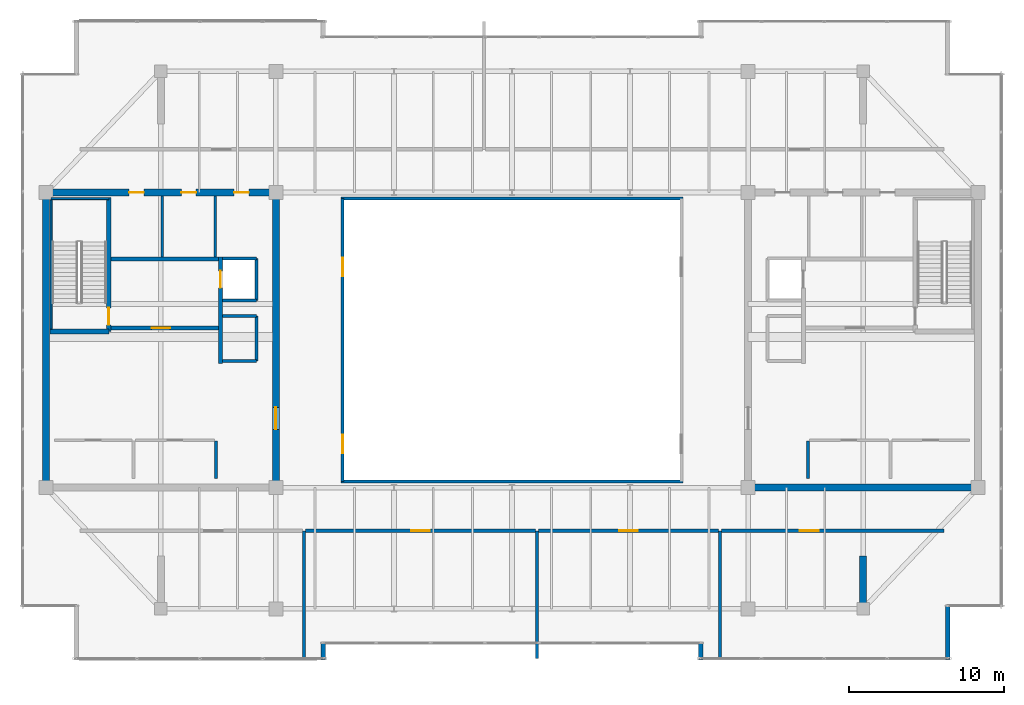
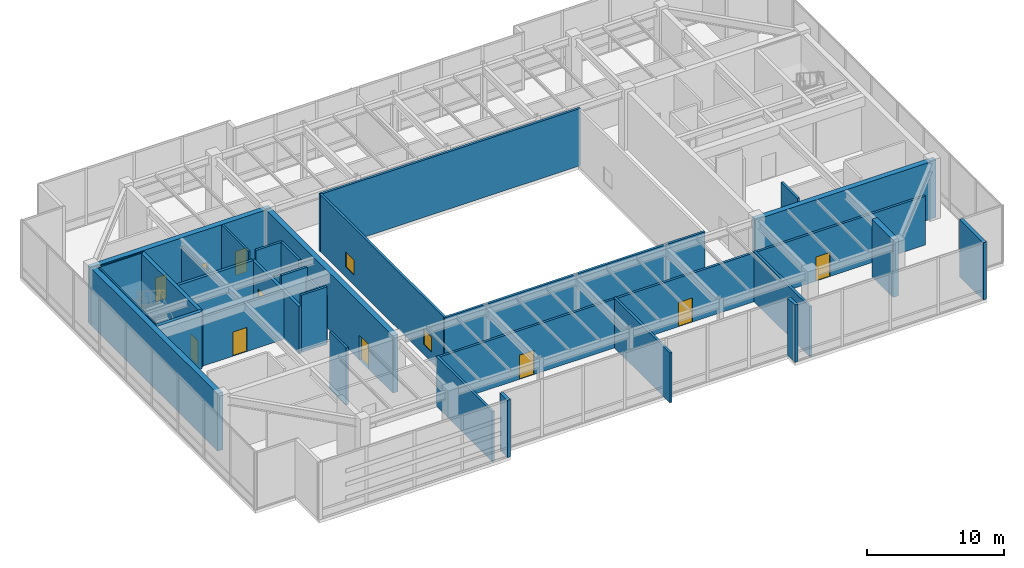
# One storey, part 25 of 30: 34 walls, 10 doors, 2 windows, 12 openings.
"""IFC4 building model written with IfcOpenShell, lengths in metres."""

from ifc_helpers import new_model, si_unit, direction, frame, frame_2d, origin, place, context, subcontext, project, spatial, rectangle, extrude, source, transform, mapped, material, layer, layer_set, type_object, type_shapes, element, fill, save


model = new_model("IFC4")

# Units and contexts
model_context = context("Model", 3, precision=1e-05, world=origin(), true_north=direction((0.0, 1.0)))
body_context = subcontext(model_context, "Body", "Model", "MODEL_VIEW")
ifc_project = project(units=[si_unit("LENGTHUNIT", "METRE"), si_unit("AREAUNIT", "SQUARE_METRE"), si_unit("VOLUMEUNIT", "CUBIC_METRE"), si_unit("PLANEANGLEUNIT", "RADIAN"), si_unit("MASSUNIT", "GRAM", prefix="KILO")], contexts=[model_context])

# Site, building, storey
site_placement = place(None, origin())
site = spatial("IfcSite", under=ifc_project, at=site_placement, CompositionType="ELEMENT")
building_placement = place(site_placement, origin())
building = spatial("IfcBuilding", under=site, at=building_placement, Name="Haelvirn Gate Laboratories", CompositionType="ELEMENT")
storey_placement = place(building_placement, frame((0.0, 0.0, 332.39990234375)))
storey = spatial("IfcBuildingStorey", under=building, at=storey_placement, Name="L79", CompositionType="ELEMENT", Elevation=332.39990234375)

# Walls
ifc_material_1 = material(Name="Thermally-broken bronze aluminium rainscreen & mineral wool", Category="aluminium")
ifc_layer_1 = layer(ifc_material_1, 0.280029296875, Name="EW-TERR-280")
ifc_layer_set_1 = layer_set([ifc_layer_1], Name="Thermally-broken bronze aluminium rainscreen & mineral wool")
wall_type_1 = type_object("IfcWallType", Name="EW-TERR-280", PredefinedType="STANDARD", material=ifc_layer_set_1)
for number, where, z_axis, x_axis, name in (
    (1, (25.260009765625, 3.699951171875, 0.0), (0.0, 0.0, 1.0), (0.0, 1.0, 0.0), "L79 Atrium Recess Bronze Return Wall 01"),
    (2, (49.5400390625, 4.782958984375, 0.0), (0.0, 0.0, 1.0), (0.0, -1.0, 0.0), "L79 Atrium Recess Bronze Return Wall 03"),
):
    element("IfcWall", number, at=place(storey_placement, frame(where, z_axis=z_axis, x_axis=x_axis)), inside=storey, type_object=wall_type_1, Name=name, PredefinedType="STANDARD", context=body_context, shape_type="SweptSolid", body=[
        extrude(rectangle(XDim=1.0830078125, YDim=0.280029296875, at=frame_2d((0.54150390625, 0.0))), origin(), (0.0, 0.0, 1.0), 5.1201171875),
    ])
wall_1_placement = place(storey_placement, frame((65.4599609375, 3.699951171875, 0.0), z_axis=(0.0, 0.0, 1.0), x_axis=(0.0, 1.0, 0.0)))
element("IfcWall", 3, at=wall_1_placement, inside=storey, type_object=wall_type_1, Name="L79 Atrium Recess Bronze Return Wall 05", PredefinedType="STANDARD", context=body_context, shape_type="SweptSolid", body=[
    extrude(rectangle(XDim=3.488037109375, YDim=0.280029296875, at=frame_2d((1.744140625, 0.0))), origin(), (0.0, 0.0, 1.0), 5.1201171875),
])

# Wall, openings, windows
ifc_material_2 = material(Name="Tempered fire-rated borosilicate glass & anodised aluminium", Category="aluminium")
ifc_layer_2 = layer(ifc_material_2, 0.195068359375, Name="IW-GLAZ-200")
ifc_layer_set_2 = layer_set([ifc_layer_2], Name="Tempered fire-rated borosilicate glass & anodised aluminium")
wall_type_2 = type_object("IfcWallType", Name="IW-GLAZ-200", PredefinedType="SOLIDWALL", material=ifc_layer_set_2)
wall_2_placement = place(storey_placement, frame((26.5, 15.199951171875, 0.0), z_axis=(0.0, 0.0, 1.0), x_axis=(0.0, 1.0, 0.0)))
wall_2 = element("IfcWall", 4, at=wall_2_placement, inside=storey, type_object=wall_type_2, Name="L79 Interior Wall IW-L79-ATRIUM-W", PredefinedType="SOLIDWALL", context=body_context, shape_type="SweptSolid", body=[
    extrude(rectangle(XDim=18.199951171875, YDim=0.195068359375, at=frame_2d((9.10009765625, 0.0))), origin(), (0.0, 0.0, 1.0), 5.1201171875),
])
opening_1_placement = place(wall_2_placement, frame((1.800048828125, 0.0, 0.89990234375)))
opening_1 = element("IfcOpeningElement", 5, at=opening_1_placement, cuts=wall_2, Name="Opening W6", PredefinedType="OPENING", context=body_context, shape_type="SweptSolid", body=[
    extrude(rectangle(XDim=1.199951171875, YDim=1.35009765625, at=frame_2d((0.60009765625, 0.675048828125))), frame((0.0, 0.107421875, 0.0), z_axis=(0.0, -1.0, 0.0), x_axis=(1.0, 0.0, 0.0)), (0.0, 0.0, 1.0), 0.215087890625),
])
opening_2_placement = place(wall_2_placement, frame((13.199951171875, 0.0, 0.89990234375)))
opening_2 = element("IfcOpeningElement", 6, at=opening_2_placement, cuts=wall_2, Name="Opening W6", PredefinedType="OPENING", context=body_context, shape_type="SweptSolid", body=[
    extrude(rectangle(XDim=1.199951171875, YDim=1.35009765625, at=frame_2d((0.60009765625, 0.675048828125))), frame((0.0, 0.107421875, 0.0), z_axis=(0.0, -1.0, 0.0), x_axis=(1.0, 0.0, 0.0)), (0.0, 0.0, 1.0), 0.215087890625),
])
ifc_material_3 = material(Name="Fire-rated EI 120 borosilicate atrium vision glazing", Category="glass")
window_type = type_object("IfcWindowType", Name="WN-ATR-1200", PartitioningType="SINGLE_PANEL", PredefinedType="WINDOW", material=ifc_material_3)
shared_shape_1 = source(origin(), body_context, "Body", "SweptSolid", [
    extrude(rectangle(XDim=1.199951171875, YDim=1.35009765625, at=frame_2d((0.60009765625, 0.675048828125))), frame((0.0, 0.030029296875, 0.0), z_axis=(0.0, -1.0, 0.0), x_axis=(1.0, 0.0, 0.0)), (0.0, 0.0, 1.0), 0.06005859375),
])
type_shapes(window_type, [shared_shape_1])
window_1_placement = place(opening_1_placement, origin())
window_1 = element("IfcWindow", 7, at=window_1_placement, inside=storey, type_object=window_type, Name="L79 Atrium Observation Window 1", OverallHeight=1.35009765625, OverallWidth=1.199951171875, PartitioningType="SINGLE_PANEL", PredefinedType="WINDOW", context=body_context, shape_type="MappedRepresentation", body=[
    mapped(shared_shape_1, transform((0.0, 0.0, 0.0), scale=1.0)),
])
fill(opening_1, window_1)
window_2_placement = place(opening_2_placement, origin())
window_2 = element("IfcWindow", 8, at=window_2_placement, inside=storey, type_object=window_type, Name="L79 Atrium Observation Window 2", OverallHeight=1.35009765625, OverallWidth=1.199951171875, PartitioningType="SINGLE_PANEL", PredefinedType="WINDOW", context=body_context, shape_type="MappedRepresentation", body=[
    mapped(shared_shape_1, transform((0.0, 0.0, 0.0), scale=1.0)),
])
fill(opening_2, window_2)

# Walls
for number, where, z_axis, x_axis, name in (
    (9, (26.39990234375, 15.199951171875, 0.0), (0.0, 0.0, 1.0), (1.0, 0.0, 0.0), "L79 Interior Wall IW-L79-ATRIUM-S"),
    (10, (26.39990234375, 33.39990234375, 0.0), (0.0, 0.0, 1.0), (1.0, 0.0, 0.0), "L79 Interior Wall IW-L79-ATRIUM-N"),
):
    element("IfcWall", number, at=place(storey_placement, frame(where, z_axis=z_axis, x_axis=x_axis)), inside=storey, type_object=wall_type_2, Name=name, PredefinedType="SOLIDWALL", context=body_context, shape_type="SweptSolid", body=[
        extrude(rectangle(XDim=22.0, YDim=0.195068359375, at=frame_2d((11.0, 0.0))), origin(), (0.0, 0.0, 1.0), 5.1201171875),
    ])
ifc_material_4 = material(Name="Cement-board restroom plumbing chase wall", Category="gypsum")
ifc_layer_3 = layer(ifc_material_4, 0.155029296875, Name="IW-PLUMB-160")
ifc_layer_set_3 = layer_set([ifc_layer_3], Name="Cement-board restroom plumbing chase wall")
wall_type_3 = type_object("IfcWallType", Name="IW-PLUMB-160", PredefinedType="PLUMBINGWALL", material=ifc_layer_set_3)
wall_3_placement = place(storey_placement, frame((14.889892578125, 29.64990234375, 0.0), z_axis=(0.0, 0.0, 1.0), x_axis=(0.0, 1.0, 0.0)))
element("IfcWall", 11, at=wall_3_placement, inside=storey, type_object=wall_type_3, Name="L79 Interior Wall IW-L79-W-CDIV-1", PredefinedType="PLUMBINGWALL", context=body_context, shape_type="SweptSolid", body=[
    extrude(rectangle(XDim=3.93017578125, YDim=0.155029296875, at=frame_2d((1.965087890625, 0.0))), origin(), (0.0, 0.0, 1.0), 4.35498046875),
])
wall_4_placement = place(storey_placement, frame((18.2900390625, 29.64990234375, 0.0), z_axis=(0.0, 0.0, 1.0), x_axis=(0.0, 1.0, 0.0)))
element("IfcWall", 12, at=wall_4_placement, inside=storey, type_object=wall_type_3, Name="L79 Interior Wall IW-L79-W-CDIV-2", PredefinedType="PLUMBINGWALL", context=body_context, shape_type="SweptSolid", body=[
    extrude(rectangle(XDim=3.93017578125, YDim=0.155029296875, at=frame_2d((1.965087890625, 0.0))), origin(), (0.0, 0.0, 1.0), 5.1201171875),
])
ifc_material_5 = material(Name="Concrete C40/50", Category="concrete")
ifc_layer_4 = layer(ifc_material_5, 0.179931640625, Name="IW-SHAFT-180")
ifc_layer_set_4 = layer_set([ifc_layer_4], Name="Concrete C40/50")
wall_type_4 = type_object("IfcWallType", Name="IW-SHAFT-180", PredefinedType="SOLIDWALL", material=ifc_layer_set_4)
for number, where, z_axis, x_axis, name in (
    (13, (18.340087890625, 15.39990234375, 0.0), (0.0, 0.0, 1.0), (0.0, 1.0, 0.0), "L79 Interior Wall IW-L79-W-FREED-HE-2"),
    (14, (56.4599609375, 15.39990234375, 0.0), (0.0, 0.0, 1.0), (0.0, 1.0, 0.0), "L79 Interior Wall IW-L79-E-FREED-HE-2"),
):
    element("IfcWall", number, at=place(storey_placement, frame(where, z_axis=z_axis, x_axis=x_axis)), inside=storey, type_object=wall_type_4, Name=name, PredefinedType="SOLIDWALL", context=body_context, shape_type="SweptSolid", body=[
        extrude(rectangle(XDim=2.400146484375, YDim=0.179931640625, at=frame_2d((1.2001953125, 0.0))), origin(), (0.0, 0.0, 1.0), 5.1201171875),
    ])
ifc_layer_5 = layer(ifc_material_5, 0.199951171875, Name="IW-SHAFT-200")
ifc_layer_set_5 = layer_set([ifc_layer_5], Name="Concrete C40/50")
wall_type_5 = type_object("IfcWallType", Name="IW-SHAFT-200", PredefinedType="SOLIDWALL", material=ifc_layer_set_5)
wall_5_placement = place(storey_placement, frame((20.949951171875, 26.85009765625, 0.0), z_axis=(0.0, 0.0, 1.0), x_axis=(0.0, 1.0, 0.0)))
element("IfcWall", 15, at=wall_5_placement, inside=storey, type_object=wall_type_5, Name="L79 Interior Wall IW-L79-FL1-BK", PredefinedType="SOLIDWALL", context=body_context, shape_type="SweptSolid", body=[
    extrude(rectangle(XDim=2.699951171875, YDim=0.199951171875, at=frame_2d((1.35009765625, 0.0))), origin(), (0.0, 0.0, 1.0), 5.1201171875),
])
wall_6_placement = place(storey_placement, frame((18.760009765625, 29.550048828125, 0.0), z_axis=(0.0, 0.0, 1.0), x_axis=(1.0, 0.0, 0.0)))
element("IfcWall", 16, at=wall_6_placement, inside=storey, type_object=wall_type_5, Name="L79 Interior Wall IW-L79-FL1-N", PredefinedType="SOLIDWALL", context=body_context, shape_type="SweptSolid", body=[
    extrude(rectangle(XDim=2.18994140625, YDim=0.199951171875, at=frame_2d((1.094970703125, 0.0))), origin(), (0.0, 0.0, 1.0), 5.1201171875),
])
wall_7_placement = place(storey_placement, frame((18.760009765625, 26.85009765625, 0.0), z_axis=(0.0, 0.0, 1.0), x_axis=(1.0, 0.0, 0.0)))
element("IfcWall", 17, at=wall_7_placement, inside=storey, type_object=wall_type_5, Name="L79 Interior Wall IW-L79-FL1-S", PredefinedType="SOLIDWALL", context=body_context, shape_type="SweptSolid", body=[
    extrude(rectangle(XDim=2.18994140625, YDim=0.199951171875, at=frame_2d((1.094970703125, 0.0))), origin(), (0.0, 0.0, 1.0), 4.51708984375),
])
wall_8_placement = place(storey_placement, frame((20.949951171875, 22.949951171875, 0.0), z_axis=(0.0, 0.0, 1.0), x_axis=(0.0, 1.0, 0.0)))
element("IfcWall", 18, at=wall_8_placement, inside=storey, type_object=wall_type_5, Name="L79 Interior Wall IW-L79-SL1-BK", PredefinedType="SOLIDWALL", context=body_context, shape_type="SweptSolid", body=[
    extrude(rectangle(XDim=2.900146484375, YDim=0.199951171875, at=frame_2d((1.4501953125, 0.0))), origin(), (0.0, 0.0, 1.0), 4.255126953125),
])
for number, where, z_axis, x_axis, name in (
    (19, (18.760009765625, 25.85009765625, 0.0), (0.0, 0.0, 1.0), (1.0, 0.0, 0.0), "L79 Interior Wall IW-L79-SL1-N"),
    (20, (18.760009765625, 22.949951171875, 0.0), (0.0, 0.0, 1.0), (1.0, 0.0, 0.0), "L79 Interior Wall IW-L79-SL1-S"),
):
    element("IfcWall", number, at=place(storey_placement, frame(where, z_axis=z_axis, x_axis=x_axis)), inside=storey, type_object=wall_type_5, Name=name, PredefinedType="SOLIDWALL", context=body_context, shape_type="SweptSolid", body=[
        extrude(rectangle(XDim=2.18994140625, YDim=0.199951171875, at=frame_2d((1.094970703125, 0.0))), origin(), (0.0, 0.0, 1.0), 5.1201171875),
    ])
wall_9_placement = place(storey_placement, frame((24.0, 3.81005859375, 0.0), z_axis=(0.0, 0.0, 1.0), x_axis=(0.0, 1.0, 0.0)))
element("IfcWall", 21, at=wall_9_placement, inside=storey, type_object=wall_type_5, Name="L79 Interior Wall IW-L79-PSDIV-1", PredefinedType="SOLIDWALL", context=body_context, shape_type="SweptSolid", body=[
    extrude(rectangle(XDim=8.2099609375, YDim=0.199951171875, at=frame_2d((4.10498046875, 0.0))), origin(), (0.0, 0.0, 1.0), 4.455078125),
])

# Wall, opening, door
wall_10_placement = place(storey_placement, frame((24.10009765625, 12.02001953125, 0.0), z_axis=(0.0, 0.0, 1.0), x_axis=(1.0, 0.0, 0.0)))
wall_10 = element("IfcWall", 22, at=wall_10_placement, inside=storey, type_object=wall_type_5, Name="L79 Interior Wall IW-L79-PSW-2", PredefinedType="SOLIDWALL", context=body_context, shape_type="SweptSolid", body=[
    extrude(rectangle(XDim=14.7998046875, YDim=0.199951171875, at=frame_2d((7.39990234375, 0.0))), origin(), (0.0, 0.0, 1.0), 4.35498046875),
])
opening_3_placement = place(wall_10_placement, frame((6.800048828125, 0.0, 0.0)))
opening_3 = element("IfcOpeningElement", 23, at=opening_3_placement, cuts=wall_10, Name="Opening FD2", PredefinedType="OPENING", context=body_context, shape_type="SweptSolid", body=[
    extrude(rectangle(XDim=1.199951171875, YDim=2.159912109375, at=frame_2d((0.60009765625, 1.080078125))), frame((0.0, 0.10986328125, 0.0), z_axis=(0.0, -1.0, 0.0), x_axis=(1.0, 0.0, 0.0)), (0.0, 0.0, 1.0), 0.219970703125),
])
ifc_material_6 = material(Name="Fire-rated steel SM355 compartment door", Category="steel")
door_type_1 = type_object("IfcDoorType", Name="DR-FD-1200", OperationType="NOTDEFINED", PredefinedType="DOOR", material=ifc_material_6)
shared_shape_2 = source(origin(), body_context, "Body", "SweptSolid", [
    extrude(rectangle(XDim=1.199951171875, YDim=2.159912109375, at=frame_2d((0.60009765625, 1.080078125))), frame((0.0, 0.02490234375, 0.0), z_axis=(0.0, -1.0, 0.0), x_axis=(1.0, 0.0, 0.0)), (0.0, 0.0, 1.0), 0.050048828125),
])
type_shapes(door_type_1, [shared_shape_2])
door_1_placement = place(opening_3_placement, origin())
door_1 = element("IfcDoor", 24, at=door_1_placement, inside=storey, type_object=door_type_1, Name="L79 Atrium Smoke-Extract Mechanical Plant Fire Door", OperationType="SINGLE_SWING_RIGHT", OverallHeight=2.159912109375, OverallWidth=1.199951171875, PredefinedType="DOOR", context=body_context, shape_type="MappedRepresentation", body=[
    mapped(shared_shape_2, transform((0.0, 0.0, 0.0), scale=1.0)),
])
fill(opening_3, door_1)

# Wall
wall_11_placement = place(storey_placement, frame((39.0, 3.81005859375, 0.0), z_axis=(0.0, 0.0, 1.0), x_axis=(0.0, 1.0, 0.0)))
element("IfcWall", 25, at=wall_11_placement, inside=storey, type_object=wall_type_5, Name="L79 Interior Wall IW-L79-PSDIV-2", PredefinedType="SOLIDWALL", context=body_context, shape_type="SweptSolid", body=[
    extrude(rectangle(XDim=8.2099609375, YDim=0.199951171875, at=frame_2d((4.10498046875, 0.0))), origin(), (0.0, 0.0, 1.0), 4.455078125),
])

# Wall, opening, door
wall_12_placement = place(storey_placement, frame((39.10009765625, 12.02001953125, 0.0), z_axis=(0.0, 0.0, 1.0), x_axis=(1.0, 0.0, 0.0)))
wall_12 = element("IfcWall", 26, at=wall_12_placement, inside=storey, type_object=wall_type_5, Name="L79 Interior Wall IW-L79-PSW-3", PredefinedType="SOLIDWALL", context=body_context, shape_type="SweptSolid", body=[
    extrude(rectangle(XDim=11.599853515625, YDim=0.199951171875, at=frame_2d((5.7998046875, 0.0))), origin(), (0.0, 0.0, 1.0), 4.35498046875),
])
opening_4_placement = place(wall_12_placement, frame((5.199951171875, 0.0, 0.0)))
opening_4 = element("IfcOpeningElement", 27, at=opening_4_placement, cuts=wall_12, Name="Opening FD2", PredefinedType="OPENING", context=body_context, shape_type="SweptSolid", body=[
    extrude(rectangle(XDim=1.199951171875, YDim=2.159912109375, at=frame_2d((0.60009765625, 1.080078125))), frame((0.0, 0.10986328125, 0.0), z_axis=(0.0, -1.0, 0.0), x_axis=(1.0, 0.0, 0.0)), (0.0, 0.0, 1.0), 0.219970703125),
])
door_2_placement = place(opening_4_placement, origin())
door_2 = element("IfcDoor", 28, at=door_2_placement, inside=storey, type_object=door_type_1, Name="L79 Solar Inverter & Battery UPS Plant Fire Door", OperationType="SINGLE_SWING_LEFT", OverallHeight=2.159912109375, OverallWidth=1.199951171875, PredefinedType="DOOR", context=body_context, shape_type="MappedRepresentation", body=[
    mapped(shared_shape_2, transform((0.0, 0.0, 0.0), scale=1.0)),
])
fill(opening_4, door_2)

# Wall
wall_13_placement = place(storey_placement, frame((50.800048828125, 3.81005859375, 0.0), z_axis=(0.0, 0.0, 1.0), x_axis=(0.0, 1.0, 0.0)))
element("IfcWall", 29, at=wall_13_placement, inside=storey, type_object=wall_type_5, Name="L79 Interior Wall IW-L79-PSDIV-3", PredefinedType="SOLIDWALL", context=body_context, shape_type="SweptSolid", body=[
    extrude(rectangle(XDim=8.2099609375, YDim=0.199951171875, at=frame_2d((4.10498046875, 0.0))), origin(), (0.0, 0.0, 1.0), 4.455078125),
])

# Wall, opening, door
wall_14_placement = place(storey_placement, frame((50.89990234375, 12.02001953125, 0.0), z_axis=(0.0, 0.0, 1.0), x_axis=(1.0, 0.0, 0.0)))
wall_14 = element("IfcWall", 30, at=wall_14_placement, inside=storey, type_object=wall_type_5, Name="L79 Interior Wall IW-L79-PSW-4", PredefinedType="SOLIDWALL", context=body_context, shape_type="SweptSolid", body=[
    extrude(rectangle(XDim=14.300048828125, YDim=0.199951171875, at=frame_2d((7.14990234375, 0.0))), origin(), (0.0, 0.0, 1.0), 4.35498046875),
])
opening_5_placement = place(wall_14_placement, frame((5.032470703125, 0.0, 0.0)))
opening_5 = element("IfcOpeningElement", 31, at=opening_5_placement, cuts=wall_14, Name="Opening FD2", PredefinedType="OPENING", context=body_context, shape_type="SweptSolid", body=[
    extrude(rectangle(XDim=1.199951171875, YDim=2.159912109375, at=frame_2d((0.60009765625, 1.080078125))), frame((0.0, 0.10986328125, 0.0), z_axis=(0.0, -1.0, 0.0), x_axis=(1.0, 0.0, 0.0)), (0.0, 0.0, 1.0), 0.219970703125),
])
door_3_placement = place(opening_5_placement, origin())
door_3 = element("IfcDoor", 32, at=door_3_placement, inside=storey, type_object=door_type_1, Name="L79 Upper Crown East Dilution Fan Plant Fire Door", OperationType="SINGLE_SWING_RIGHT", OverallHeight=2.159912109375, OverallWidth=1.199951171875, PredefinedType="DOOR", context=body_context, shape_type="MappedRepresentation", body=[
    mapped(shared_shape_2, transform((0.0, 0.0, 0.0), scale=1.0)),
])
fill(opening_5, door_3)

ifc_layer_6 = layer(ifc_material_5, 0.239990234375, Name="IW-SHAFT-240")
ifc_layer_set_6 = layer_set([ifc_layer_6], Name="Concrete C40/50")
wall_type_6 = type_object("IfcWallType", Name="IW-SHAFT-240", PredefinedType="SOLIDWALL", material=ifc_layer_set_6)
wall_15_placement = place(storey_placement, frame((11.60009765625, 25.080078125, 0.0), z_axis=(0.0, 0.0, 1.0), x_axis=(1.0, 0.0, 0.0)))
wall_15 = element("IfcWall", 33, at=wall_15_placement, inside=storey, type_object=wall_type_6, Name="L79 Interior Wall IW-L79-W-FF-S", PredefinedType="SOLIDWALL", context=body_context, shape_type="SweptSolid", body=[
    extrude(rectangle(XDim=6.919921875, YDim=0.239990234375, at=frame_2d((3.4599609375, 0.0))), origin(), (0.0, 0.0, 1.0), 4.35498046875),
])
opening_6_placement = place(wall_15_placement, frame((2.60009765625, 0.0, 0.0)))
opening_6 = element("IfcOpeningElement", 34, at=opening_6_placement, cuts=wall_15, Name="Opening FD2", PredefinedType="OPENING", context=body_context, shape_type="SweptSolid", body=[
    extrude(rectangle(XDim=1.199951171875, YDim=2.159912109375, at=frame_2d((0.60009765625, 1.080078125))), frame((0.0, 0.1298828125, 0.0), z_axis=(0.0, -1.0, 0.0), x_axis=(1.0, 0.0, 0.0)), (0.0, 0.0, 1.0), 0.260009765625),
])
door_4_placement = place(opening_6_placement, origin())
door_4 = element("IfcDoor", 35, at=door_4_placement, inside=storey, type_object=door_type_1, Name="L79 West Firefighting Lobby Door", OperationType="SINGLE_SWING_RIGHT", OverallHeight=2.159912109375, OverallWidth=1.199951171875, PredefinedType="DOOR", context=body_context, shape_type="MappedRepresentation", body=[
    mapped(shared_shape_2, transform((0.0, 0.0, 0.0), scale=1.0)),
])
fill(opening_6, door_4)

# Wall
wall_16_placement = place(storey_placement, frame((11.60009765625, 29.52001953125, 0.0), z_axis=(0.0, 0.0, 1.0), x_axis=(1.0, 0.0, 0.0)))
element("IfcWall", 36, at=wall_16_placement, inside=storey, type_object=wall_type_6, Name="L79 Interior Wall IW-L79-W-FF-N", PredefinedType="SOLIDWALL", context=body_context, shape_type="SweptSolid", body=[
    extrude(rectangle(XDim=6.919921875, YDim=0.239990234375, at=frame_2d((3.4599609375, 0.0))), origin(), (0.0, 0.0, 1.0), 4.35498046875),
])

# Wall, opening, door
wall_17_placement = place(storey_placement, frame((18.639892578125, 22.800048828125, 0.0), z_axis=(0.0, 0.0, 1.0), x_axis=(0.0, 1.0, 0.0)))
wall_17 = element("IfcWall", 37, at=wall_17_placement, inside=storey, type_object=wall_type_6, Name="L79 Interior Wall IW-L79-W-FF-E", PredefinedType="SOLIDWALL", context=body_context, shape_type="SweptSolid", body=[
    extrude(rectangle(XDim=6.849853515625, YDim=0.239990234375, at=frame_2d((3.4248046875, 0.0))), origin(), (0.0, 0.0, 1.0), 4.255126953125),
])
opening_7_placement = place(wall_17_placement, frame((4.85009765625, 0.0, 0.0)))
opening_7 = element("IfcOpeningElement", 38, at=opening_7_placement, cuts=wall_17, Name="Opening LD2", PredefinedType="OPENING", context=body_context, shape_type="SweptSolid", body=[
    extrude(rectangle(XDim=1.10009765625, YDim=2.219970703125, at=frame_2d((0.550048828125, 1.10986328125))), frame((0.0, 0.1298828125, 0.0), z_axis=(0.0, -1.0, 0.0), x_axis=(1.0, 0.0, 0.0)), (0.0, 0.0, 1.0), 0.260009765625),
])
ifc_material_7 = material(Name="Bronze stainless 316L sliding lift landing door")
door_type_2 = type_object("IfcDoorType", Name="DR-LD-1100", OperationType="NOTDEFINED", PredefinedType="USERDEFINED", material=ifc_material_7)
shared_shape_3 = source(origin(), body_context, "Body", "SweptSolid", [
    extrude(rectangle(XDim=1.10009765625, YDim=2.219970703125, at=frame_2d((0.550048828125, 1.10986328125))), frame((0.0, 0.02490234375, 0.0), z_axis=(0.0, -1.0, 0.0), x_axis=(1.0, 0.0, 0.0)), (0.0, 0.0, 1.0), 0.050048828125),
])
type_shapes(door_type_2, [shared_shape_3])
door_5_placement = place(opening_7_placement, origin())
door_5 = element("IfcDoor", 39, at=door_5_placement, inside=storey, type_object=door_type_2, Name="L79 Firefighting Lift FL1 Landing Door", ObjectType="LANDING_DOOR", OperationType="SLIDING_TO_LEFT", OverallHeight=2.219970703125, OverallWidth=1.10009765625, PredefinedType="USERDEFINED", context=body_context, shape_type="MappedRepresentation", body=[
    mapped(shared_shape_3, transform((0.0, 0.0, 0.0), scale=1.0)),
])
fill(opening_7, door_5)

# Wall, openings, doors
ifc_material_8 = material(Name="Concrete C50/60", Category="concrete")
ifc_layer_7 = layer(ifc_material_8, 0.449951171875, Name="SW-CORE-450")
ifc_layer_set_7 = layer_set([ifc_layer_7], Name="Concrete C50/60")
wall_type_7 = type_object("IfcWallType", Name="SW-CORE-450", PredefinedType="SHEAR", material=ifc_layer_set_7)
wall_18_placement = place(storey_placement, frame((7.175048828125, 33.800048828125, 0.0), z_axis=(0.0, 0.0, 1.0), x_axis=(1.0, 0.0, 0.0)))
wall_18 = element("IfcWall", 40, at=wall_18_placement, inside=storey, type_object=wall_type_7, Name="L79 W Core Shear Wall N", PredefinedType="SHEAR", context=body_context, shape_type="SweptSolid", body=[
    extrude(rectangle(XDim=15.25, YDim=0.449951171875, at=frame_2d((7.625, 0.0))), origin(), (0.0, 0.0, 1.0), 5.1201171875),
])
opening_8_placement = place(wall_18_placement, frame((5.574951171875, 0.0, 0.0)))
opening_8 = element("IfcOpeningElement", 41, at=opening_8_placement, cuts=wall_18, Name="Opening FD4", PredefinedType="OPENING", context=body_context, shape_type="SweptSolid", body=[
    extrude(rectangle(XDim=0.949951171875, YDim=2.14990234375, at=frame_2d((0.47509765625, 1.074951171875))), frame((0.0, 0.23486328125, 0.0), z_axis=(0.0, -1.0, 0.0), x_axis=(1.0, 0.0, 0.0)), (0.0, 0.0, 1.0), 0.469970703125),
])
opening_9_placement = place(wall_18_placement, frame((8.93994140625, 0.0, 0.0)))
opening_9 = element("IfcOpeningElement", 42, at=opening_9_placement, cuts=wall_18, Name="Opening FD4", PredefinedType="OPENING", context=body_context, shape_type="SweptSolid", body=[
    extrude(rectangle(XDim=0.949951171875, YDim=2.14990234375, at=frame_2d((0.47509765625, 1.074951171875))), frame((0.0, 0.23486328125, 0.0), z_axis=(0.0, -1.0, 0.0), x_axis=(1.0, 0.0, 0.0)), (0.0, 0.0, 1.0), 0.469970703125),
])
opening_10_placement = place(wall_18_placement, frame((12.340087890625, 0.0, 0.0)))
opening_10 = element("IfcOpeningElement", 43, at=opening_10_placement, cuts=wall_18, Name="Opening FD4", PredefinedType="OPENING", context=body_context, shape_type="SweptSolid", body=[
    extrude(rectangle(XDim=0.949951171875, YDim=2.14990234375, at=frame_2d((0.47509765625, 1.074951171875))), frame((0.0, 0.23486328125, 0.0), z_axis=(0.0, -1.0, 0.0), x_axis=(1.0, 0.0, 0.0)), (0.0, 0.0, 1.0), 0.469970703125),
])
ifc_material_9 = material(Name="Fire-rated steel SM355 core service door", Category="steel")
door_type_3 = type_object("IfcDoorType", Name="DR-FD-950", OperationType="NOTDEFINED", PredefinedType="DOOR", material=ifc_material_9)
shared_shape_4 = source(origin(), body_context, "Body", "SweptSolid", [
    extrude(rectangle(XDim=0.949951171875, YDim=2.14990234375, at=frame_2d((0.47509765625, 1.074951171875))), frame((0.0, 0.02490234375, 0.0), z_axis=(0.0, -1.0, 0.0), x_axis=(1.0, 0.0, 0.0)), (0.0, 0.0, 1.0), 0.050048828125),
])
type_shapes(door_type_3, [shared_shape_4])
door_6_placement = place(opening_8_placement, origin())
door_6 = element("IfcDoor", 44, at=door_6_placement, inside=storey, type_object=door_type_3, Name="L79 Male Restroom Fire Door", OperationType="SINGLE_SWING_RIGHT", OverallHeight=2.14990234375, OverallWidth=0.949951171875, PredefinedType="DOOR", context=body_context, shape_type="MappedRepresentation", body=[
    mapped(shared_shape_4, transform((0.0, 0.0, 0.0), scale=1.0)),
])
fill(opening_8, door_6)
door_7_placement = place(opening_9_placement, origin())
door_7 = element("IfcDoor", 45, at=door_7_placement, inside=storey, type_object=door_type_3, Name="L79 Female Restroom Fire Door", OperationType="SINGLE_SWING_LEFT", OverallHeight=2.14990234375, OverallWidth=0.949951171875, PredefinedType="DOOR", context=body_context, shape_type="MappedRepresentation", body=[
    mapped(shared_shape_4, transform((0.0, 0.0, 0.0), scale=1.0)),
])
fill(opening_9, door_7)
door_8_placement = place(opening_10_placement, origin())
door_8 = element("IfcDoor", 46, at=door_8_placement, inside=storey, type_object=door_type_3, Name="L79 Accessible Restroom Fire Door", OperationType="SINGLE_SWING_RIGHT", OverallHeight=2.14990234375, OverallWidth=0.949951171875, PredefinedType="DOOR", context=body_context, shape_type="MappedRepresentation", body=[
    mapped(shared_shape_4, transform((0.0, 0.0, 0.0), scale=1.0)),
])
fill(opening_10, door_8)

# Wall
wall_19_placement = place(storey_placement, frame((7.39990234375, 15.02490234375, 0.0), z_axis=(0.0, 0.0, 1.0), x_axis=(0.0, 1.0, 0.0)))
element("IfcWall", 47, at=wall_19_placement, inside=storey, type_object=wall_type_7, Name="L79 W Core Shear Wall W", PredefinedType="SHEAR", context=body_context, shape_type="SweptSolid", body=[
    extrude(rectangle(XDim=18.550048828125, YDim=0.449951171875, at=frame_2d((9.27490234375, 0.0))), origin(), (0.0, 0.0, 1.0), 5.1201171875),
])

# Wall, opening, door
wall_20_placement = place(storey_placement, frame((22.199951171875, 15.02490234375, 0.0), z_axis=(0.0, 0.0, 1.0), x_axis=(0.0, 1.0, 0.0)))
wall_20 = element("IfcWall", 48, at=wall_20_placement, inside=storey, type_object=wall_type_7, Name="L79 W Core Shear Wall E", PredefinedType="SHEAR", context=body_context, shape_type="SweptSolid", body=[
    extrude(rectangle(XDim=18.550048828125, YDim=0.449951171875, at=frame_2d((9.27490234375, 0.0))), origin(), (0.0, 0.0, 1.0), 5.1201171875),
])
opening_11_placement = place(wall_20_placement, frame((3.52490234375, 0.0, 0.0)))
opening_11 = element("IfcOpeningElement", 49, at=opening_11_placement, cuts=wall_20, Name="Opening FD1", PredefinedType="OPENING", context=body_context, shape_type="SweptSolid", body=[
    extrude(rectangle(XDim=1.419921875, YDim=2.199951171875, at=frame_2d((0.7099609375, 1.10009765625))), frame((0.0, 0.23486328125, 0.0), z_axis=(0.0, -1.0, 0.0), x_axis=(1.0, 0.0, 0.0)), (0.0, 0.0, 1.0), 0.469970703125),
])
ifc_material_10 = material(Name="Fire-rated double steel SM355 lobby door", Category="steel")
door_type_4 = type_object("IfcDoorType", Name="DR-FD-1400", OperationType="NOTDEFINED", PredefinedType="DOOR", material=ifc_material_10)
shared_shape_5 = source(origin(), body_context, "Body", "SweptSolid", [
    extrude(rectangle(XDim=1.419921875, YDim=2.199951171875, at=frame_2d((0.7099609375, 1.10009765625))), frame((0.0, 0.02490234375, 0.0), z_axis=(0.0, -1.0, 0.0), x_axis=(1.0, 0.0, 0.0)), (0.0, 0.0, 1.0), 0.050048828125),
])
type_shapes(door_type_4, [shared_shape_5])
door_9_placement = place(opening_11_placement, origin())
door_9 = element("IfcDoor", 50, at=door_9_placement, inside=storey, type_object=door_type_4, Name="L79 West Core Lift Lobby Fire Door", OperationType="DOUBLE_DOOR_SINGLE_SWING", OverallHeight=2.199951171875, OverallWidth=1.419921875, PredefinedType="DOOR", context=body_context, shape_type="MappedRepresentation", body=[
    mapped(shared_shape_5, transform((0.0, 0.0, 0.0), scale=1.0)),
])
fill(opening_11, door_9)

# Walls
wall_21_placement = place(storey_placement, frame((52.375, 14.800048828125, 0.0), z_axis=(0.0, 0.0, 1.0), x_axis=(1.0, 0.0, 0.0)))
element("IfcWall", 51, at=wall_21_placement, inside=storey, type_object=wall_type_7, Name="L79 E Core Shear Wall S", PredefinedType="SHEAR", context=body_context, shape_type="SweptSolid", body=[
    extrude(rectangle(XDim=15.25, YDim=0.449951171875, at=frame_2d((7.625, 0.0))), origin(), (0.0, 0.0, 1.0), 5.1201171875),
])
wall_22_placement = place(storey_placement, frame((60.0, 7.300048828125, 0.0), z_axis=(0.0, 0.0, 1.0), x_axis=(0.0, 1.0, 0.0)))
element("IfcWall", 52, at=wall_22_placement, inside=storey, type_object=wall_type_7, Name="L79 Transverse Slab Shear Wall E-S", PredefinedType="SHEAR", context=body_context, shape_type="SweptSolid", body=[
    extrude(rectangle(XDim=3.099853515625, YDim=0.449951171875, at=frame_2d((1.5498046875, 0.0))), origin(), (0.0, 0.0, 1.0), 5.1201171875),
])
ifc_layer_8 = layer(ifc_material_8, 0.1201171875, Name="SW-LINER-120")
ifc_layer_set_8 = layer_set([ifc_layer_8], Name="Concrete C50/60")
wall_type_8 = type_object("IfcWallType", Name="SW-LINER-120", PredefinedType="SOLIDWALL", material=ifc_layer_set_8)
wall_23_placement = place(storey_placement, frame((7.72998046875, 33.39990234375, 0.0), z_axis=(0.0, 0.0, 1.0), x_axis=(1.0, 0.0, 0.0)))
element("IfcWall", 53, at=wall_23_placement, inside=storey, type_object=wall_type_8, Name="L79 W Core Stair Shaft Liner Wall N", PredefinedType="SOLIDWALL", context=body_context, shape_type="SweptSolid", body=[
    extrude(rectangle(XDim=3.719970703125, YDim=0.1201171875, at=frame_2d((1.85986328125, 0.0))), origin(), (0.0, 0.0, 1.0), 5.1201171875),
])
wall_24_placement = place(storey_placement, frame((7.72998046875, 25.0, 0.0), z_axis=(0.0, 0.0, 1.0), x_axis=(0.0, 1.0, 0.0)))
element("IfcWall", 54, at=wall_24_placement, inside=storey, type_object=wall_type_8, Name="L79 W Core Stair Shaft Liner Wall OUT", PredefinedType="SOLIDWALL", context=body_context, shape_type="SweptSolid", body=[
    extrude(rectangle(XDim=8.320068359375, YDim=0.1201171875, at=frame_2d((4.16015625, 0.0))), origin(), (0.0, 0.0, 1.0), 5.1201171875),
])

# Wall, opening, door
ifc_layer_9 = layer(ifc_material_8, 0.300048828125, Name="SW-STAIR-300")
ifc_layer_set_9 = layer_set([ifc_layer_9], Name="Concrete C50/60")
wall_type_9 = type_object("IfcWallType", Name="SW-STAIR-300", PredefinedType="SHEAR", material=ifc_layer_set_9)
wall_25_placement = place(storey_placement, frame((11.449951171875, 24.85009765625, 0.0), z_axis=(0.0, 0.0, 1.0), x_axis=(0.0, 1.0, 0.0)))
wall_25 = element("IfcWall", 55, at=wall_25_placement, inside=storey, type_object=wall_type_9, Name="L79 W Core Stair Shaft Structural Wall IN", PredefinedType="SHEAR", context=body_context, shape_type="SweptSolid", body=[
    extrude(rectangle(XDim=8.6298828125, YDim=0.300048828125, at=frame_2d((4.31494140625, 0.0))), origin(), (0.0, 0.0, 1.0), 5.1201171875),
])
opening_12_placement = place(wall_25_placement, frame((0.419921875, 0.0, 0.0)))
opening_12 = element("IfcOpeningElement", 56, at=opening_12_placement, cuts=wall_25, Name="Opening FD3", PredefinedType="OPENING", context=body_context, shape_type="SweptSolid", body=[
    extrude(rectangle(XDim=1.10009765625, YDim=2.14990234375, at=frame_2d((0.550048828125, 1.074951171875))), frame((0.0, 0.16015625, 0.0), z_axis=(0.0, -1.0, 0.0), x_axis=(1.0, 0.0, 0.0)), (0.0, 0.0, 1.0), 0.320068359375),
])
ifc_material_11 = material(Name="Fire-rated steel SM355 escape stair door", Category="steel")
door_type_5 = type_object("IfcDoorType", Name="DR-FD-1100", OperationType="NOTDEFINED", PredefinedType="DOOR", material=ifc_material_11)
shared_shape_6 = source(origin(), body_context, "Body", "SweptSolid", [
    extrude(rectangle(XDim=1.10009765625, YDim=2.14990234375, at=frame_2d((0.550048828125, 1.074951171875))), frame((0.0, 0.02490234375, 0.0), z_axis=(0.0, -1.0, 0.0), x_axis=(1.0, 0.0, 0.0)), (0.0, 0.0, 1.0), 0.050048828125),
])
type_shapes(door_type_5, [shared_shape_6])
door_10_placement = place(opening_12_placement, origin())
door_10 = element("IfcDoor", 57, at=door_10_placement, inside=storey, type_object=door_type_5, Name="L79 Escape Stair ST1 Fire Door", OperationType="SINGLE_SWING_LEFT", OverallHeight=2.14990234375, OverallWidth=1.10009765625, PredefinedType="DOOR", context=body_context, shape_type="MappedRepresentation", body=[
    mapped(shared_shape_6, transform((0.0, 0.0, 0.0), scale=1.0)),
])
fill(opening_12, door_10)

# Wall
wall_26_placement = place(storey_placement, frame((7.64990234375, 24.85009765625, 0.0), z_axis=(0.0, 0.0, 1.0), x_axis=(1.0, 0.0, 0.0)))
element("IfcWall", 58, at=wall_26_placement, inside=storey, type_object=wall_type_9, Name="L79 W Core Stair Shaft Structural Wall S", PredefinedType="SHEAR", context=body_context, shape_type="SweptSolid", body=[
    extrude(rectangle(XDim=3.800048828125, YDim=0.300048828125, at=frame_2d((1.89990234375, 0.0))), origin(), (0.0, 0.0, 1.0), 5.1201171875),
])

save(model, "model.ifc")
